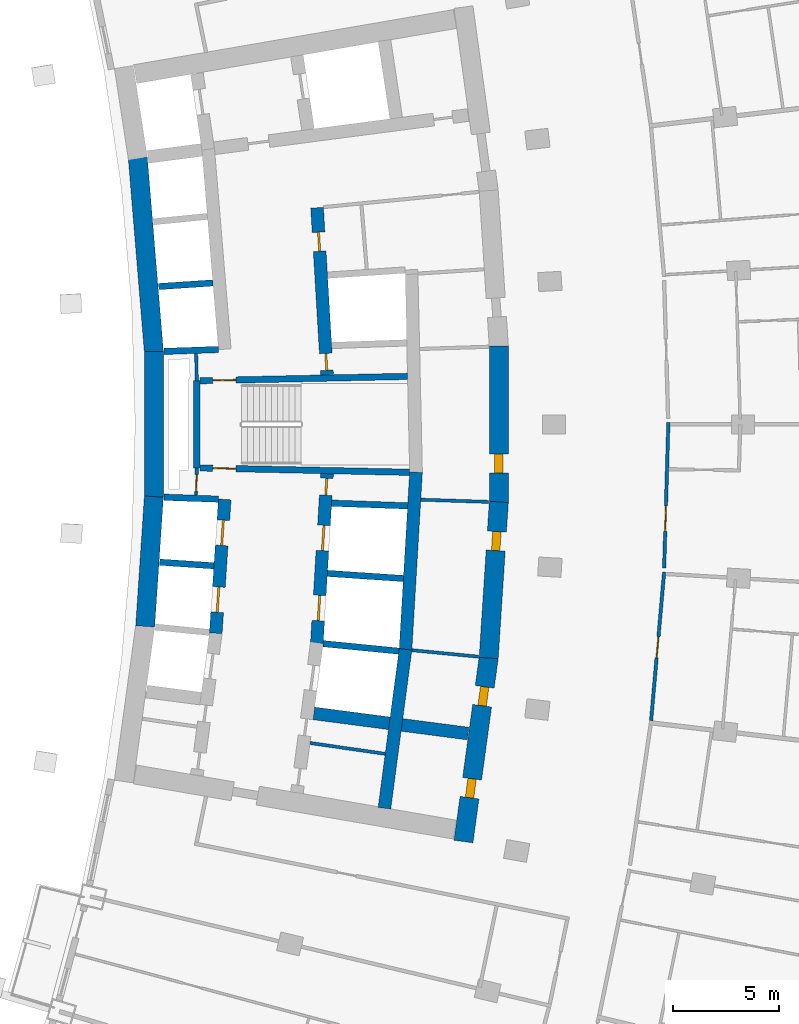
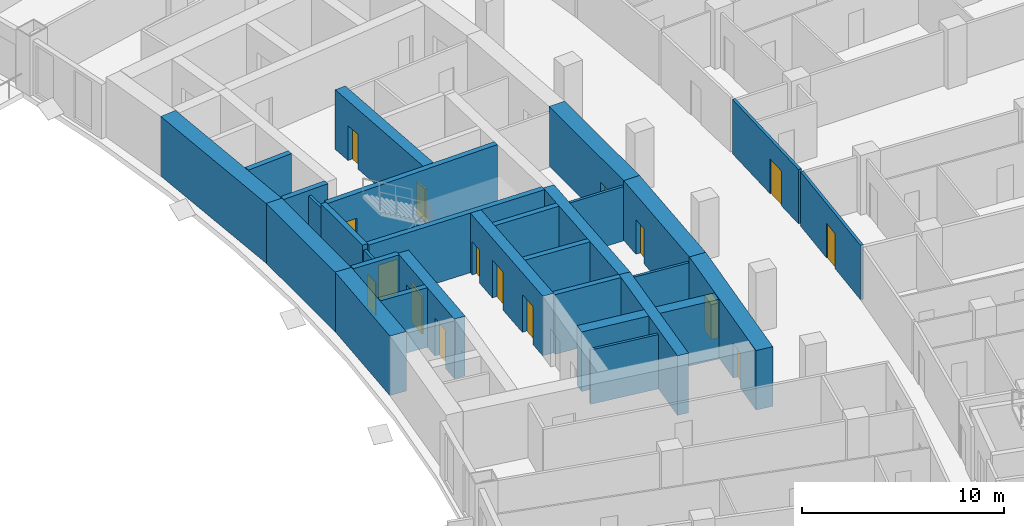
# One storey, part 16 of 25: 30 walls, 16 doors, 16 openings.
"""IFC4 building model written with IfcOpenShell, lengths in metres."""

import ifcopenshell
import ifcopenshell.guid

model = None  # the IFC model being written
_history = None  # IfcOwnerHistory: only IFC2X3 demands one
_inside = {}  # id of a spatial element -> (the spatial element, [elements in it])
_under = {}  # id of a project, library or spatial element -> (it, [spatial elements below it])
_declared = {}  # id of a project -> (the project, [libraries it declares])
_typed = {}  # id of a type object -> (the type object, [elements of that type])
_made_of = {}  # id of a material, layer set ... -> (it, [elements and type objects made of it])


def new_model(schema):
    """Start an empty IFC model of exactly this schema.

    Asked for "IFC4X3", IfcOpenShell would pick the latest addendum, in which some entities
    have other attributes; the version numbers below select the first issue.
    IFC2X3 requires an IfcOwnerHistory on every rooted entity: one is made here for all.
    """
    global model, _history
    if schema == "IFC4X3":
        model = ifcopenshell.file(schema_version=(4, 3, 0, 0))
    else:
        model = ifcopenshell.file(schema=schema)
    _inside.clear()
    _under.clear()
    _declared.clear()
    _typed.clear()
    _made_of.clear()
    _history = None
    if model.schema == "IFC2X3":
        org = make("IfcOrganization", Name="unknown")
        user = make(
            "IfcPersonAndOrganization",
            ThePerson=make("IfcPerson", FamilyName="unknown"),
            TheOrganization=org,
        )
        app = make(
            "IfcApplication",
            ApplicationDeveloper=org,
            Version="unknown",
            ApplicationFullName="unknown",
            ApplicationIdentifier="unknown",
        )
        _history = make(
            "IfcOwnerHistory",
            OwningUser=user,
            OwningApplication=app,
            ChangeAction="ADDED",
            CreationDate=0,
        )
    return model


def make(cls, **values):
    """One entity of the class cls with the attributes given. An attribute that is None is left unset."""
    return model.create_entity(
        cls, **{name: value for name, value in values.items() if value is not None}
    )


def rooted(cls, **values):
    """An entity with a GlobalId (a new one), such as an element, a storey or a relation."""
    return make(cls, GlobalId=ifcopenshell.guid.new(), OwnerHistory=_history, **values)


def si_unit(unit_type, name, prefix=None):
    """IfcSIUnit, for example si_unit("LENGTHUNIT", "METRE", prefix="MILLI")."""
    return make("IfcSIUnit", UnitType=unit_type, Prefix=prefix, Name=name)


def assignment(units):
    """IfcUnitAssignment: the units of a project."""
    return None if units is None else make("IfcUnitAssignment", Units=units)


def point(xyz):
    """IfcCartesianPoint."""
    return None if xyz is None else make("IfcCartesianPoint", Coordinates=xyz)


def direction(xyz):
    """IfcDirection."""
    return None if xyz is None else make("IfcDirection", DirectionRatios=xyz)


def frame(location, z_axis=None, x_axis=None):
    """IfcAxis2Placement3D, a coordinate frame: its origin and axes. An axis left out is left unset."""
    return make(
        "IfcAxis2Placement3D",
        Location=point(location),
        Axis=direction(z_axis),
        RefDirection=direction(x_axis),
    )


def frame_2d(location, x_axis=None):
    """IfcAxis2Placement2D, a coordinate frame in the plane: its origin and x axis."""
    return make(
        "IfcAxis2Placement2D", Location=point(location), RefDirection=direction(x_axis)
    )


def origin():
    """The frame at (0, 0, 0) with its axes left unset."""
    return frame((0.0, 0.0, 0.0))


def place(relative_to, where):
    """IfcLocalPlacement: puts the frame where relative to a parent placement (None: the world)."""
    return make(
        "IfcLocalPlacement", PlacementRelTo=relative_to, RelativePlacement=where
    )


def context(
    kind, dimensions, precision=None, world=None, true_north=None, identifier=None
):
    """IfcGeometricRepresentationContext, for example the 3D "Model" context."""
    return make(
        "IfcGeometricRepresentationContext",
        ContextIdentifier=identifier,
        ContextType=kind,
        CoordinateSpaceDimension=dimensions,
        Precision=precision,
        WorldCoordinateSystem=world,
        TrueNorth=true_north,
    )


def subcontext(parent, identifier, kind, view, scale=None):
    """IfcGeometricRepresentationSubContext, for example "Body" below "Model"."""
    return make(
        "IfcGeometricRepresentationSubContext",
        ContextIdentifier=identifier,
        ContextType=kind,
        ParentContext=parent,
        TargetScale=scale,
        TargetView=view,
    )


def project(units=None, contexts=None):
    """IfcProject with its units and contexts."""
    return rooted(
        "IfcProject",
        Name="project",
        RepresentationContexts=contexts,
        UnitsInContext=assignment(units),
    )


def spatial(cls, under=None, at=None, **own):
    """A site, building, storey or space (cls), placed at a placement, below another one or the project."""
    s = rooted(cls, ObjectPlacement=at, **own)
    if under is not None:
        _under.setdefault(under.id(), (under, []))[1].append(s)
    return s


def profile(cls, at=None, kind="AREA", **sizes):
    """A parametric profile (cls). Its sizes go by their IFC names, for example OverallWidth=200.0."""
    return make(cls, ProfileType=kind, Position=at, **sizes)


def rectangle(**sizes):
    """IfcRectangleProfileDef."""
    return profile("IfcRectangleProfileDef", **sizes)


def extrude(swept, where, along, depth):
    """IfcExtrudedAreaSolid: the profile swept, set in the frame where, extruded along a direction by depth."""
    return make(
        "IfcExtrudedAreaSolid",
        SweptArea=swept,
        Position=where,
        ExtrudedDirection=direction(along),
        Depth=depth,
    )


def shape(context_of_items, identifier, shape_type, items):
    """IfcShapeRepresentation: the items that make up one representation, for example the "Body"."""
    return make(
        "IfcShapeRepresentation",
        ContextOfItems=context_of_items,
        RepresentationIdentifier=identifier,
        RepresentationType=shape_type,
        Items=items,
    )


def material(Name=None, Category=None):
    """IfcMaterial."""
    return make("IfcMaterial", Name=Name, Category=Category)


def layer(
    of_material, thickness, ventilated=None, Name=None, Category=None, Priority=None
):
    """IfcMaterialLayer: one layer of a wall or slab, of a material (None: an air gap)."""
    return make(
        "IfcMaterialLayer",
        Material=of_material,
        LayerThickness=thickness,
        IsVentilated=ventilated,
        Name=Name,
        Category=Category,
        Priority=Priority,
    )


def layer_set(layers, Name=None):
    """IfcMaterialLayerSet."""
    return make("IfcMaterialLayerSet", MaterialLayers=layers, LayerSetName=Name)


def made_of(thing, what):
    """Note that an element or type object is made of a material, layer set ...; save() writes the relation."""
    if what is not None:
        _made_of.setdefault(what.id(), (what, []))[1].append(thing)
    return thing


def type_object(cls, material=None, **own):
    """A type object (cls), such as IfcWallType, which elements share."""
    return made_of(rooted(cls, **own), material)


def element(
    cls,
    number,
    at=None,
    inside=None,
    cuts=None,
    type_object=None,
    material=None,
    context=None,
    identifier="Body",
    shape_type=None,
    held_by="IfcProductDefinitionShape",
    body=None,
    shapes=None,
    **own,
):
    """One element of the class cls, such as IfcWall. Its Tag is "e" and its number.

    at: its placement. inside: the storey or other place that contains it. cuts: it is an
    opening in that element (IfcRelVoidsElement). A single representation is given by context,
    identifier, shape_type and body (its items); several are given by shapes. held_by: the class
    of the entity that holds the representations. save() writes the other relations.
    """
    e = rooted(cls, Tag="e%d" % number, ObjectPlacement=at, **own)
    if body is not None:
        shapes = [shape(context, identifier, shape_type, body)]
    if shapes is not None:
        e.Representation = make(held_by, Representations=shapes)
    if inside is not None:
        _inside.setdefault(inside.id(), (inside, []))[1].append(e)
    if cuts is not None:
        rooted(
            "IfcRelVoidsElement", RelatingBuildingElement=cuts, RelatedOpeningElement=e
        )
    if type_object is not None:
        _typed.setdefault(type_object.id(), (type_object, []))[1].append(e)
    return made_of(e, material)


def fill(opening, filler):
    """IfcRelFillsElement: the door or window that sits in an opening."""
    return rooted(
        "IfcRelFillsElement",
        RelatingOpeningElement=opening,
        RelatedBuildingElement=filler,
    )


def aggregate(whole, parts):
    """IfcRelAggregates: a whole, such as a stair, and the parts it consists of."""
    return rooted("IfcRelAggregates", RelatingObject=whole, RelatedObjects=parts)


def save(model, path):
    """Write the relations noted so far, then the file.

    IfcRelAggregates (storeys below a building ...), IfcRelContainedInSpatialStructure (elements
    in a storey), IfcRelDefinesByType, IfcRelAssociatesMaterial and IfcRelDeclares: one each for
    every whole, place, type object, material and project.
    """
    for whole, parts in _under.values():
        aggregate(whole, parts)
    for where, things in _inside.values():
        rooted(
            "IfcRelContainedInSpatialStructure",
            RelatedElements=things,
            RelatingStructure=where,
        )
    for kind, things in _typed.values():
        rooted("IfcRelDefinesByType", RelatedObjects=things, RelatingType=kind)
    for what, things in _made_of.values():
        rooted("IfcRelAssociatesMaterial", RelatedObjects=things, RelatingMaterial=what)
    for by, libraries in _declared.values():
        rooted("IfcRelDeclares", RelatingContext=by, RelatedDefinitions=libraries)
    model.write(path)


model = new_model("IFC4")

# Units and contexts
model_context = context("Model", 3, precision=1e-05, world=origin(), true_north=direction((0.0, 1.0)))
body_context = subcontext(model_context, "Body", "Model", "MODEL_VIEW")
ifc_project = project(units=[si_unit("LENGTHUNIT", "METRE"), si_unit("AREAUNIT", "SQUARE_METRE"), si_unit("VOLUMEUNIT", "CUBIC_METRE"), si_unit("PLANEANGLEUNIT", "RADIAN"), si_unit("MASSUNIT", "GRAM", prefix="KILO")], contexts=[model_context])

# Site, building, storey
site_placement = place(None, origin())
site = spatial("IfcSite", under=ifc_project, at=site_placement, CompositionType="ELEMENT")
building_placement = place(site_placement, origin())
building = spatial("IfcBuilding", under=site, at=building_placement, Name="Alderwake Tower", CompositionType="ELEMENT")
storey_placement = place(building_placement, frame((0.0, 0.0, 60.800048828125)))
storey = spatial("IfcBuildingStorey", under=building, at=storey_placement, Name="L14", CompositionType="ELEMENT", Elevation=60.800048828125)

# Wall, opening, door
ifc_material_1 = material(Name="Gypsum shaft wall system, rated")
ifc_layer_1 = layer(ifc_material_1, 0.14990234375)
ifc_layer_set_1 = layer_set([ifc_layer_1], Name="Core room partition 150")
wall_type_1 = type_object("IfcWallType", Name="Core room partition 150", PredefinedType="PARTITIONING", material=ifc_layer_set_1)
wall_1_placement = place(storey_placement, frame((18.918701171875, 58.94384765625, 0.0), z_axis=(0.0, 0.0, 1.0), x_axis=(-0.027348257573, -0.999625966453, 0.0)))
wall_1 = element("IfcWall", 1, at=wall_1_placement, inside=storey, type_object=wall_type_1, Name="CW/L14/PA+24_-37", PredefinedType="PARTITIONING", context=body_context, shape_type="SweptSolid", body=[
    extrude(rectangle(XDim=1.29443359375, YDim=0.14990234375, at=frame_2d((0.647216796875, 0.0))), origin(), (0.0, 0.0, 1.0), 3.280029296875),
])
opening_1_placement = place(wall_1_placement, frame((0.322998046875, 0.0, 0.0)))
opening_1 = element("IfcOpeningElement", 2, at=opening_1_placement, cuts=wall_1, Name="Opening C004", PredefinedType="OPENING", context=body_context, shape_type="SweptSolid", body=[
    extrude(rectangle(XDim=0.800048828125, YDim=2.0, at=frame_2d((0.39990234375, 1.0))), frame((0.0, 0.0849609375, 0.0), z_axis=(0.0, -1.0, 0.0), x_axis=(1.0, 0.0, 0.0)), (0.0, 0.0, 1.0), 0.169921875),
])
ifc_material_2 = material(Name="Painted steel leaf, rated", Category="steel")
door_type_1 = type_object("IfcDoorType", Name="Riser access door 800", OperationType="SINGLE_SWING_LEFT", PredefinedType="DOOR", material=ifc_material_2)
door_1_placement = place(opening_1_placement, origin())
door_1 = element("IfcDoor", 3, at=door_1_placement, inside=storey, type_object=door_type_1, Name="Riser access door", OperationType="SINGLE_SWING_RIGHT", OverallHeight=2.0, OverallWidth=0.800048828125, PredefinedType="DOOR", context=body_context, shape_type="SweptSolid", body=[
    extrude(rectangle(XDim=0.800048828125, YDim=2.0, at=frame_2d((0.39990234375, 1.0))), frame((0.0, 0.02490234375, 0.0), z_axis=(0.0, -1.0, 0.0), x_axis=(1.0, 0.0, 0.0)), (0.0, 0.0, 1.0), 0.050048828125),
])
fill(opening_1, door_1)

# Walls
wall_2_placement = place(storey_placement, frame((18.918701171875, 63.05517578125, 0.0), z_axis=(0.0, 0.0, 1.0), x_axis=(-0.027327648352, 0.999626530078, 0.0)))
element("IfcWall", 4, at=wall_2_placement, inside=storey, type_object=wall_type_1, Name="CW/L14/PA+24_+22", PredefinedType="PARTITIONING", context=body_context, shape_type="SweptSolid", body=[
    extrude(rectangle(XDim=1.29541015625, YDim=0.14990234375, at=frame_2d((0.647705078125, 0.0))), origin(), (0.0, 0.0, 1.0), 3.280029296875),
])
wall_3_placement = place(storey_placement, frame((24.263916015625, 45.940673828125, 0.0), z_axis=(0.0, 0.0, 1.0), x_axis=(0.989732412963, -0.142932679013, 0.0)))
element("IfcWall", 5, at=wall_3_placement, inside=storey, type_object=wall_type_1, Name="CW/L14/PR-150_+86", PredefinedType="PARTITIONING", context=body_context, shape_type="SweptSolid", body=[
    extrude(rectangle(XDim=3.595458984375, YDim=0.14990234375, at=frame_2d((1.7978515625, 0.0))), origin(), (0.0, 0.0, 1.0), 3.280029296875),
])
wall_4_placement = place(storey_placement, frame((29.0791015625, 50.326416015625, 0.0), z_axis=(0.0, 0.0, 1.0), x_axis=(0.995249181795, -0.097360495766, 0.0)))
element("IfcWall", 6, at=wall_4_placement, inside=storey, type_object=wall_type_1, Name="CW/L14/PR-102_+128", PredefinedType="PARTITIONING", context=body_context, shape_type="SweptSolid", body=[
    extrude(rectangle(XDim=3.169677734375, YDim=0.14990234375, at=frame_2d((1.5849609375, 0.0))), origin(), (0.0, 0.0, 1.0), 3.280029296875),
])
wall_5_placement = place(storey_placement, frame((29.50048828125, 57.4384765625, 0.0), z_axis=(0.0, 0.0, 1.0), x_axis=(0.999470508275, -0.032537717924, 0.0)))
element("IfcWall", 7, at=wall_5_placement, inside=storey, type_object=wall_type_1, Name="CW/L14/PR-34_+128", PredefinedType="PARTITIONING", context=body_context, shape_type="SweptSolid", body=[
    extrude(rectangle(XDim=3.21142578125, YDim=0.14990234375, at=frame_2d((1.605712890625, 0.0))), origin(), (0.0, 0.0, 1.0), 3.280029296875),
])
ifc_material_3 = material(Name="Concrete C70/85", Category="concrete")
ifc_layer_2 = layer(ifc_material_3, 0.89990234375)
ifc_layer_set_2 = layer_set([ifc_layer_2], Name="Core wall outer 900 C70-85")
wall_type_2 = type_object("IfcWallType", Name="Core wall outer 900 C70-85", PredefinedType="SHEAR", material=ifc_layer_set_2)
wall_6_placement = place(storey_placement, frame((16.47900390625, 51.449951171875, 0.0), z_axis=(0.0, 0.0, 1.0), x_axis=(0.06689316208, 0.997760143956, 0.0)))
element("IfcWall", 8, at=wall_6_placement, inside=storey, type_object=wall_type_2, Name="Core wall CW.041", PredefinedType="SHEAR", context=body_context, shape_type="SweptSolid", body=[
    extrude(rectangle(XDim=6.149658203125, YDim=0.89990234375, at=frame_2d((3.07470703125, 0.0))), origin(), (0.0, 0.0, 1.0), 3.599853515625),
])
wall_7_placement = place(storey_placement, frame((16.889404296875, 57.5546875, 0.0), z_axis=(0.0, 0.0, 1.0), x_axis=(0.0, 1.0, 0.0)))
element("IfcWall", 9, at=wall_7_placement, inside=storey, type_object=wall_type_2, Name="Core wall CW.043", PredefinedType="SHEAR", context=body_context, shape_type="SweptSolid", body=[
    extrude(rectangle(XDim=6.89404296875, YDim=0.89990234375, at=frame_2d((3.447021484375, 0.0))), origin(), (0.0, 0.0, 1.0), 3.599853515625),
])
wall_8_placement = place(storey_placement, frame((16.890869140625, 64.41064453125, 0.0), z_axis=(0.0, 0.0, 1.0), x_axis=(-0.082624275373, 0.996580768989, 0.0)))
element("IfcWall", 10, at=wall_8_placement, inside=storey, type_object=wall_type_2, Name="Core wall CW.040", PredefinedType="SHEAR", context=body_context, shape_type="SweptSolid", body=[
    extrude(rectangle(XDim=9.210205078125, YDim=0.89990234375, at=frame_2d((4.60498046875, 0.0))), origin(), (0.0, 0.0, 1.0), 3.599853515625),
])

# Wall, openings, doors
wall_9_placement = place(storey_placement, frame((32.7138671875, 49.9873046875, 0.0), z_axis=(0.0, 0.0, 1.0), x_axis=(-0.135844728876, -0.990730139663, 0.0)))
wall_9 = element("IfcWall", 11, at=wall_9_placement, inside=storey, type_object=wall_type_2, Name="Core wall CW.012", PredefinedType="SHEAR", context=body_context, shape_type="SweptSolid", body=[
    extrude(rectangle(XDim=8.78662109375, YDim=0.89990234375, at=frame_2d((4.393310546875, 0.0))), origin(), (0.0, 0.0, 1.0), 3.599853515625),
])
opening_2_placement = place(wall_9_placement, frame((1.40673828125, 0.0, 0.0)))
opening_2 = element("IfcOpeningElement", 12, at=opening_2_placement, cuts=wall_9, Name="Opening C050", PredefinedType="OPENING", context=body_context, shape_type="SweptSolid", body=[
    extrude(rectangle(XDim=0.89990234375, YDim=2.10009765625, at=frame_2d((0.449951171875, 1.050048828125))), frame((0.0, 0.4599609375, 0.0), z_axis=(0.0, -1.0, 0.0), x_axis=(1.0, 0.0, 0.0)), (0.0, 0.0, 1.0), 0.919921875),
])
opening_3_placement = place(wall_9_placement, frame((5.79248046875, 0.0, 0.0)))
opening_3 = element("IfcOpeningElement", 13, at=opening_3_placement, cuts=wall_9, Name="Opening C061", PredefinedType="OPENING", context=body_context, shape_type="SweptSolid", body=[
    extrude(rectangle(XDim=0.89990234375, YDim=2.10009765625, at=frame_2d((0.449951171875, 1.050048828125))), frame((0.0, 0.4599609375, 0.0), z_axis=(0.0, -1.0, 0.0), x_axis=(1.0, 0.0, 0.0)), (0.0, 0.0, 1.0), 0.919921875),
])
ifc_material_4 = material(Name="Painted steel leaf", Category="steel")
door_type_2 = type_object("IfcDoorType", Name="Core room door 900", OperationType="SINGLE_SWING_LEFT", PredefinedType="DOOR", material=ifc_material_4)
door_2_placement = place(opening_2_placement, origin())
door_2 = element("IfcDoor", 14, at=door_2_placement, inside=storey, type_object=door_type_2, Name="Room door", OperationType="SINGLE_SWING_LEFT", OverallHeight=2.10009765625, OverallWidth=0.89990234375, PredefinedType="DOOR", context=body_context, shape_type="SweptSolid", body=[
    extrude(rectangle(XDim=0.89990234375, YDim=2.10009765625, at=frame_2d((0.449951171875, 1.050048828125))), frame((0.0, 0.199951171875, 0.0), z_axis=(0.0, -1.0, 0.0), x_axis=(1.0, 0.0, 0.0)), (0.0, 0.0, 1.0), 0.39990234375),
])
fill(opening_2, door_2)
door_3_placement = place(opening_3_placement, origin())
door_3 = element("IfcDoor", 15, at=door_3_placement, inside=storey, type_object=door_type_2, Name="Room door", OperationType="SINGLE_SWING_RIGHT", OverallHeight=2.10009765625, OverallWidth=0.89990234375, PredefinedType="DOOR", context=body_context, shape_type="SweptSolid", body=[
    extrude(rectangle(XDim=0.89990234375, YDim=2.10009765625, at=frame_2d((0.449951171875, 1.050048828125))), frame((0.0, 0.199951171875, 0.0), z_axis=(0.0, -1.0, 0.0), x_axis=(1.0, 0.0, 0.0)), (0.0, 0.0, 1.0), 0.39990234375),
])
fill(opening_3, door_3)

# Wall, opening, door
wall_10_placement = place(storey_placement, frame((33.191162109375, 57.33349609375, 0.0), z_axis=(0.0, 0.0, 1.0), x_axis=(-0.064976219143, -0.997886812693, 0.0)))
wall_10 = element("IfcWall", 16, at=wall_10_placement, inside=storey, type_object=wall_type_2, Name="Core wall CW.011", PredefinedType="SHEAR", context=body_context, shape_type="SweptSolid", body=[
    extrude(rectangle(XDim=7.39453125, YDim=0.89990234375, at=frame_2d((3.697265625, 0.0))), origin(), (0.0, 0.0, 1.0), 3.599853515625),
])
opening_4_placement = place(wall_10_placement, frame((1.405517578125, 0.0, 0.0)))
opening_4 = element("IfcOpeningElement", 17, at=opening_4_placement, cuts=wall_10, Name="Opening C026", PredefinedType="OPENING", context=body_context, shape_type="SweptSolid", body=[
    extrude(rectangle(XDim=0.89990234375, YDim=2.10009765625, at=frame_2d((0.449951171875, 1.050048828125))), frame((0.0, 0.4599609375, 0.0), z_axis=(0.0, -1.0, 0.0), x_axis=(1.0, 0.0, 0.0)), (0.0, 0.0, 1.0), 0.919921875),
])
door_4_placement = place(opening_4_placement, origin())
door_4 = element("IfcDoor", 18, at=door_4_placement, inside=storey, type_object=door_type_2, Name="Room door", OperationType="SINGLE_SWING_RIGHT", OverallHeight=2.10009765625, OverallWidth=0.89990234375, PredefinedType="DOOR", context=body_context, shape_type="SweptSolid", body=[
    extrude(rectangle(XDim=0.89990234375, YDim=2.10009765625, at=frame_2d((0.449951171875, 1.050048828125))), frame((0.0, 0.199951171875, 0.0), z_axis=(0.0, -1.0, 0.0), x_axis=(1.0, 0.0, 0.0)), (0.0, 0.0, 1.0), 0.39990234375),
])
fill(opening_4, door_4)

wall_11_placement = place(storey_placement, frame((33.190185546875, 64.69677734375, 0.0), z_axis=(0.0, 0.0, 1.0), x_axis=(0.0, -1.0, 0.0)))
wall_11 = element("IfcWall", 19, at=wall_11_placement, inside=storey, type_object=wall_type_2, Name="Core wall CW.013", PredefinedType="SHEAR", context=body_context, shape_type="SweptSolid", body=[
    extrude(rectangle(XDim=7.3935546875, YDim=0.89990234375, at=frame_2d((3.69677734375, 0.0))), origin(), (0.0, 0.0, 1.0), 3.599853515625),
])
opening_5_placement = place(wall_11_placement, frame((5.087646484375, 0.0, 0.0)))
opening_5 = element("IfcOpeningElement", 20, at=opening_5_placement, cuts=wall_11, Name="Opening C030", PredefinedType="OPENING", context=body_context, shape_type="SweptSolid", body=[
    extrude(rectangle(XDim=0.89990234375, YDim=2.10009765625, at=frame_2d((0.449951171875, 1.050048828125))), frame((0.0, 0.4599609375, 0.0), z_axis=(0.0, -1.0, 0.0), x_axis=(1.0, 0.0, 0.0)), (0.0, 0.0, 1.0), 0.919921875),
])
door_5_placement = place(opening_5_placement, origin())
door_5 = element("IfcDoor", 21, at=door_5_placement, inside=storey, type_object=door_type_2, Name="Room door", OperationType="SINGLE_SWING_LEFT", OverallHeight=2.10009765625, OverallWidth=0.89990234375, PredefinedType="DOOR", context=body_context, shape_type="SweptSolid", body=[
    extrude(rectangle(XDim=0.89990234375, YDim=2.10009765625, at=frame_2d((0.449951171875, 1.050048828125))), frame((0.0, 0.199951171875, 0.0), z_axis=(0.0, -1.0, 0.0), x_axis=(1.0, 0.0, 0.0)), (0.0, 0.0, 1.0), 0.39990234375),
])
fill(opening_5, door_5)

# Walls
ifc_material_5 = material(Name="Concrete C70/85", Category="concrete")
ifc_layer_3 = layer(ifc_material_5, 0.300048828125)
ifc_layer_set_3 = layer_set([ifc_layer_3], Name="Core wall shaft 300 C70-85")
wall_type_3 = type_object("IfcWallType", Name="Core wall shaft 300 C70-85", PredefinedType="SHEAR", material=ifc_layer_set_3)
wall_12_placement = place(storey_placement, frame((24.889404296875, 50.635009765625, 0.0), z_axis=(0.0, 0.0, 1.0), x_axis=(0.995156121494, -0.098307140396, 0.0)))
element("IfcWall", 22, at=wall_12_placement, inside=storey, type_object=wall_type_3, Name="Core wall CW.066", PredefinedType="SHEAR", context=body_context, shape_type="SweptSolid", body=[
    extrude(rectangle(XDim=3.595947265625, YDim=0.300048828125, at=frame_2d((1.7978515625, 0.0))), origin(), (0.0, 0.0, 1.0), 3.599853515625),
])
wall_13_placement = place(storey_placement, frame((17.16357421875, 54.486083984375, 0.0), z_axis=(0.0, 0.0, 1.0), x_axis=(0.997758581961, -0.066916456292, 0.0)))
element("IfcWall", 23, at=wall_13_placement, inside=storey, type_object=wall_type_3, Name="Core wall CW.079", PredefinedType="SHEAR", context=body_context, shape_type="SweptSolid", body=[
    extrude(rectangle(XDim=2.568603515625, YDim=0.300048828125, at=frame_2d((1.2841796875, 0.0))), origin(), (0.0, 0.0, 1.0), 3.599853515625),
])
wall_14_placement = place(storey_placement, frame((25.090087890625, 53.954833984375, 0.0), z_axis=(0.0, 0.0, 1.0), x_axis=(0.997758045734, -0.066924451231, 0.0)))
element("IfcWall", 24, at=wall_14_placement, inside=storey, type_object=wall_type_3, Name="Core wall CW.080", PredefinedType="SHEAR", context=body_context, shape_type="SweptSolid", body=[
    extrude(rectangle(XDim=3.596923828125, YDim=0.300048828125, at=frame_2d((1.79833984375, 0.0))), origin(), (0.0, 0.0, 1.0), 3.599853515625),
])
wall_15_placement = place(storey_placement, frame((17.369140625, 57.553466796875, 0.0), z_axis=(0.0, 0.0, 1.0), x_axis=(0.99937189907, -0.035437372217, 0.0)))
element("IfcWall", 25, at=wall_15_placement, inside=storey, type_object=wall_type_3, Name="Core wall CW.076", PredefinedType="SHEAR", context=body_context, shape_type="SweptSolid", body=[
    extrude(rectangle(XDim=2.56982421875, YDim=0.300048828125, at=frame_2d((1.284912109375, 0.0))), origin(), (0.0, 0.0, 1.0), 3.599853515625),
])
wall_16_placement = place(storey_placement, frame((25.29052734375, 57.27294921875, 0.0), z_axis=(0.0, 0.0, 1.0), x_axis=(0.99937585491, -0.035325636908, 0.0)))
element("IfcWall", 26, at=wall_16_placement, inside=storey, type_object=wall_type_3, Name="Core wall CW.077", PredefinedType="SHEAR", context=body_context, shape_type="SweptSolid", body=[
    extrude(rectangle(XDim=3.59375, YDim=0.300048828125, at=frame_2d((1.796875, 0.0))), origin(), (0.0, 0.0, 1.0), 3.599853515625),
])
wall_17_placement = place(storey_placement, frame((17.369384765625, 64.446533203125, 0.0), z_axis=(0.0, 0.0, 1.0), x_axis=(0.999371660382, 0.035444102817, 0.0)))
element("IfcWall", 27, at=wall_17_placement, inside=storey, type_object=wall_type_3, Name="Core wall CW.059", PredefinedType="SHEAR", context=body_context, shape_type="SweptSolid", body=[
    extrude(rectangle(XDim=2.5693359375, YDim=0.300048828125, at=frame_2d((1.28466796875, 0.0))), origin(), (0.0, 0.0, 1.0), 3.599853515625),
])
wall_18_placement = place(storey_placement, frame((17.115478515625, 67.510498046875, 0.0), z_axis=(0.0, 0.0, 1.0), x_axis=(0.99775517309, 0.06696726493, 0.0)))
element("IfcWall", 28, at=wall_18_placement, inside=storey, type_object=wall_type_3, Name="Core wall CW.062", PredefinedType="SHEAR", context=body_context, shape_type="SweptSolid", body=[
    extrude(rectangle(XDim=2.566650390625, YDim=0.300048828125, at=frame_2d((1.283203125, 0.0))), origin(), (0.0, 0.0, 1.0), 3.599853515625),
])

# Wall, openings, doors
ifc_material_6 = material(Name="Concrete C70/85", Category="concrete")
ifc_layer_4 = layer(ifc_material_6, 0.60009765625)
ifc_layer_set_4 = layer_set([ifc_layer_4], Name="Core wall spine 600 C70-85")
wall_type_4 = type_object("IfcWallType", Name="Core wall spine 600 C70-85", PredefinedType="SHEAR", material=ifc_layer_set_4)
wall_19_placement = place(storey_placement, frame((19.813232421875, 51.12646484375, 0.0), z_axis=(0.0, 0.0, 1.0), x_axis=(0.066892179723, 0.997760209816, 0.0)))
wall_19 = element("IfcWall", 29, at=wall_19_placement, inside=storey, type_object=wall_type_4, Name="Core wall CW.032", PredefinedType="SHEAR", context=body_context, shape_type="SweptSolid", body=[
    extrude(rectangle(XDim=6.339599609375, YDim=0.60009765625, at=frame_2d((3.169921875, 0.0))), origin(), (0.0, 0.0, 1.0), 3.599853515625),
])
opening_6_placement = place(wall_19_placement, frame((0.992431640625, 0.0, 0.0)))
opening_6 = element("IfcOpeningElement", 30, at=opening_6_placement, cuts=wall_19, Name="Opening LD-LP2", PredefinedType="OPENING", context=body_context, shape_type="SweptSolid", body=[
    extrude(rectangle(XDim=1.199951171875, YDim=2.300048828125, at=frame_2d((0.60009765625, 1.14990234375))), frame((0.0, 0.31005859375, 0.0), z_axis=(0.0, -1.0, 0.0), x_axis=(1.0, 0.0, 0.0)), (0.0, 0.0, 1.0), 0.6201171875),
])
opening_7_placement = place(wall_19_placement, frame((4.157470703125, 0.0, 0.0)))
opening_7 = element("IfcOpeningElement", 31, at=opening_7_placement, cuts=wall_19, Name="Opening LD-LP3", PredefinedType="OPENING", context=body_context, shape_type="SweptSolid", body=[
    extrude(rectangle(XDim=1.199951171875, YDim=2.300048828125, at=frame_2d((0.60009765625, 1.14990234375))), frame((0.0, 0.31005859375, 0.0), z_axis=(0.0, -1.0, 0.0), x_axis=(1.0, 0.0, 0.0)), (0.0, 0.0, 1.0), 0.6201171875),
])
ifc_material_7 = material(Name="Stainless steel sliding leaf", Category="steel")
door_type_3 = type_object("IfcDoorType", Name="Lift landing door 1200", OperationType="SLIDING_TO_LEFT", PredefinedType="DOOR", material=ifc_material_7)
door_6_placement = place(opening_6_placement, origin())
door_6 = element("IfcDoor", 32, at=door_6_placement, inside=storey, type_object=door_type_3, Name="Lift landing door LP2", OperationType="SLIDING_TO_LEFT", OverallHeight=2.300048828125, OverallWidth=1.199951171875, PredefinedType="DOOR", context=body_context, shape_type="SweptSolid", body=[
    extrude(rectangle(XDim=1.199951171875, YDim=2.300048828125, at=frame_2d((0.60009765625, 1.14990234375))), frame((0.0, 0.050048828125, 0.0), z_axis=(0.0, -1.0, 0.0), x_axis=(1.0, 0.0, 0.0)), (0.0, 0.0, 1.0), 0.10009765625),
])
fill(opening_6, door_6)
door_7_placement = place(opening_7_placement, origin())
door_7 = element("IfcDoor", 33, at=door_7_placement, inside=storey, type_object=door_type_3, Name="Lift landing door LP3", OperationType="SLIDING_TO_LEFT", OverallHeight=2.300048828125, OverallWidth=1.199951171875, PredefinedType="DOOR", context=body_context, shape_type="SweptSolid", body=[
    extrude(rectangle(XDim=1.199951171875, YDim=2.300048828125, at=frame_2d((0.60009765625, 1.14990234375))), frame((0.0, 0.050048828125, 0.0), z_axis=(0.0, -1.0, 0.0), x_axis=(1.0, 0.0, 0.0)), (0.0, 0.0, 1.0), 0.10009765625),
])
fill(opening_7, door_7)

wall_20_placement = place(storey_placement, frame((24.58984375, 50.6533203125, 0.0), z_axis=(0.0, 0.0, 1.0), x_axis=(0.060323309079, 0.998178890972, 0.0)))
wall_20 = element("IfcWall", 34, at=wall_20_placement, inside=storey, type_object=wall_type_4, Name="Core wall CW.046", PredefinedType="SHEAR", context=body_context, shape_type="SweptSolid", body=[
    extrude(rectangle(XDim=8.025634765625, YDim=0.60009765625, at=frame_2d((4.0126953125, 0.0))), origin(), (0.0, 0.0, 1.0), 3.599853515625),
])
opening_8_placement = place(wall_20_placement, frame((1.06884765625, 0.0, 0.0)))
opening_8 = element("IfcOpeningElement", 35, at=opening_8_placement, cuts=wall_20, Name="Opening LD-LP5", PredefinedType="OPENING", context=body_context, shape_type="SweptSolid", body=[
    extrude(rectangle(XDim=1.199951171875, YDim=2.300048828125, at=frame_2d((0.60009765625, 1.14990234375))), frame((0.0, 0.31005859375, 0.0), z_axis=(0.0, -1.0, 0.0), x_axis=(1.0, 0.0, 0.0)), (0.0, 0.0, 1.0), 0.6201171875),
])
opening_9_placement = place(wall_20_placement, frame((4.38525390625, 0.0, 0.0)))
opening_9 = element("IfcOpeningElement", 36, at=opening_9_placement, cuts=wall_20, Name="Opening LD-LP6", PredefinedType="OPENING", context=body_context, shape_type="SweptSolid", body=[
    extrude(rectangle(XDim=1.199951171875, YDim=2.300048828125, at=frame_2d((0.60009765625, 1.14990234375))), frame((0.0, 0.31005859375, 0.0), z_axis=(0.0, -1.0, 0.0), x_axis=(1.0, 0.0, 0.0)), (0.0, 0.0, 1.0), 0.6201171875),
])
opening_10_placement = place(wall_20_placement, frame((7.009521484375, 0.0, 0.0)))
opening_10 = element("IfcOpeningElement", 37, at=opening_10_placement, cuts=wall_20, Name="Opening C006", PredefinedType="OPENING", context=body_context, shape_type="SweptSolid", body=[
    extrude(rectangle(XDim=0.800048828125, YDim=2.0, at=frame_2d((0.39990234375, 1.0))), frame((0.0, 0.31005859375, 0.0), z_axis=(0.0, -1.0, 0.0), x_axis=(1.0, 0.0, 0.0)), (0.0, 0.0, 1.0), 0.6201171875),
])
door_8_placement = place(opening_8_placement, origin())
door_8 = element("IfcDoor", 38, at=door_8_placement, inside=storey, type_object=door_type_3, Name="Lift landing door LP5", OperationType="SLIDING_TO_LEFT", OverallHeight=2.300048828125, OverallWidth=1.199951171875, PredefinedType="DOOR", context=body_context, shape_type="SweptSolid", body=[
    extrude(rectangle(XDim=1.199951171875, YDim=2.300048828125, at=frame_2d((0.60009765625, 1.14990234375))), frame((0.0, 0.050048828125, 0.0), z_axis=(0.0, -1.0, 0.0), x_axis=(1.0, 0.0, 0.0)), (0.0, 0.0, 1.0), 0.10009765625),
])
fill(opening_8, door_8)
door_9_placement = place(opening_9_placement, origin())
door_9 = element("IfcDoor", 39, at=door_9_placement, inside=storey, type_object=door_type_3, Name="Lift landing door LP6", OperationType="SLIDING_TO_LEFT", OverallHeight=2.300048828125, OverallWidth=1.199951171875, PredefinedType="DOOR", context=body_context, shape_type="SweptSolid", body=[
    extrude(rectangle(XDim=1.199951171875, YDim=2.300048828125, at=frame_2d((0.60009765625, 1.14990234375))), frame((0.0, 0.050048828125, 0.0), z_axis=(0.0, -1.0, 0.0), x_axis=(1.0, 0.0, 0.0)), (0.0, 0.0, 1.0), 0.10009765625),
])
fill(opening_9, door_9)
door_10_placement = place(opening_10_placement, origin())
door_10 = element("IfcDoor", 40, at=door_10_placement, inside=storey, type_object=door_type_1, Name="Riser access door", OperationType="SINGLE_SWING_RIGHT", OverallHeight=2.0, OverallWidth=0.800048828125, PredefinedType="DOOR", context=body_context, shape_type="SweptSolid", body=[
    extrude(rectangle(XDim=0.800048828125, YDim=2.0, at=frame_2d((0.39990234375, 1.0))), frame((0.0, 0.050048828125, 0.0), z_axis=(0.0, -1.0, 0.0), x_axis=(1.0, 0.0, 0.0)), (0.0, 0.0, 1.0), 0.10009765625),
])
fill(opening_10, door_10)

wall_21_placement = place(storey_placement, frame((25.073974609375, 63.335693359375, 0.0), z_axis=(0.0, 0.0, 1.0), x_axis=(-0.059848641072, 0.998207463487, 0.0)))
wall_21 = element("IfcWall", 41, at=wall_21_placement, inside=storey, type_object=wall_type_4, Name="Core wall CW.045", PredefinedType="SHEAR", context=body_context, shape_type="SweptSolid", body=[
    extrude(rectangle(XDim=7.913818359375, YDim=0.60009765625, at=frame_2d((3.95703125, 0.0))), origin(), (0.0, 0.0, 1.0), 3.599853515625),
])
opening_11_placement = place(wall_21_placement, frame((0.216064453125, 0.0, 0.0)))
opening_11 = element("IfcOpeningElement", 42, at=opening_11_placement, cuts=wall_21, Name="Opening C005", PredefinedType="OPENING", context=body_context, shape_type="SweptSolid", body=[
    extrude(rectangle(XDim=0.800048828125, YDim=2.0, at=frame_2d((0.39990234375, 1.0))), frame((0.0, 0.31005859375, 0.0), z_axis=(0.0, -1.0, 0.0), x_axis=(1.0, 0.0, 0.0)), (0.0, 0.0, 1.0), 0.6201171875),
])
opening_12_placement = place(wall_21_placement, frame((5.856201171875, 0.0, 0.0)))
opening_12 = element("IfcOpeningElement", 43, at=opening_12_placement, cuts=wall_21, Name="Opening C024", PredefinedType="OPENING", context=body_context, shape_type="SweptSolid", body=[
    extrude(rectangle(XDim=0.89990234375, YDim=2.10009765625, at=frame_2d((0.449951171875, 1.050048828125))), frame((0.0, 0.31005859375, 0.0), z_axis=(0.0, -1.0, 0.0), x_axis=(1.0, 0.0, 0.0)), (0.0, 0.0, 1.0), 0.6201171875),
])
door_11_placement = place(opening_12_placement, origin())
door_11 = element("IfcDoor", 44, at=door_11_placement, inside=storey, type_object=door_type_2, Name="Room door", OperationType="SINGLE_SWING_LEFT", OverallHeight=2.10009765625, OverallWidth=0.89990234375, PredefinedType="DOOR", context=body_context, shape_type="SweptSolid", body=[
    extrude(rectangle(XDim=0.89990234375, YDim=2.10009765625, at=frame_2d((0.449951171875, 1.050048828125))), frame((0.0, 0.050048828125, 0.0), z_axis=(0.0, -1.0, 0.0), x_axis=(1.0, 0.0, 0.0)), (0.0, 0.0, 1.0), 0.10009765625),
])
fill(opening_12, door_11)
door_12_placement = place(opening_11_placement, origin())
door_12 = element("IfcDoor", 45, at=door_12_placement, inside=storey, type_object=door_type_1, Name="Riser access door", OperationType="SINGLE_SWING_LEFT", OverallHeight=2.0, OverallWidth=0.800048828125, PredefinedType="DOOR", context=body_context, shape_type="SweptSolid", body=[
    extrude(rectangle(XDim=0.800048828125, YDim=2.0, at=frame_2d((0.39990234375, 1.0))), frame((0.0, 0.050048828125, 0.0), z_axis=(0.0, -1.0, 0.0), x_axis=(1.0, 0.0, 0.0)), (0.0, 0.0, 1.0), 0.10009765625),
])
fill(opening_11, door_12)

# Walls
wall_22_placement = place(storey_placement, frame((27.78369140625, 42.85693359375, 0.0), z_axis=(0.0, 0.0, 1.0), x_axis=(0.131768985664, 0.991280451949, 0.0)))
element("IfcWall", 46, at=wall_22_placement, inside=storey, type_object=wall_type_4, Name="Core wall CW.006", PredefinedType="SHEAR", context=body_context, shape_type="SweptSolid", body=[
    extrude(rectangle(XDim=7.576171875, YDim=0.60009765625, at=frame_2d((3.7880859375, 0.0))), origin(), (0.0, 0.0, 1.0), 3.599853515625),
])
wall_23_placement = place(storey_placement, frame((28.77978515625, 50.34423828125, 0.0), z_axis=(0.0, 0.0, 1.0), x_axis=(0.059133840665, 0.998250063305, 0.0)))
element("IfcWall", 47, at=wall_23_placement, inside=storey, type_object=wall_type_4, Name="Core wall CW.004", PredefinedType="SHEAR", context=body_context, shape_type="SweptSolid", body=[
    extrude(rectangle(XDim=8.409912109375, YDim=0.60009765625, at=frame_2d((4.205078125, 0.0))), origin(), (0.0, 0.0, 1.0), 3.599853515625),
])
wall_24_placement = place(storey_placement, frame((24.4501953125, 47.338623046875, 0.0), z_axis=(0.0, 0.0, 1.0), x_axis=(0.99155225032, -0.129707882892, 0.0)))
element("IfcWall", 48, at=wall_24_placement, inside=storey, type_object=wall_type_4, Name="Core wall CW.069", PredefinedType="SHEAR", context=body_context, shape_type="SweptSolid", body=[
    extrude(rectangle(XDim=3.594970703125, YDim=0.60009765625, at=frame_2d((1.79736328125, 0.0))), origin(), (0.0, 0.0, 1.0), 3.599853515625),
])
wall_25_placement = place(storey_placement, frame((28.609619140625, 46.794677734375, 0.0), z_axis=(0.0, 0.0, 1.0), x_axis=(0.991551544298, -0.129713279967, 0.0)))
element("IfcWall", 49, at=wall_25_placement, inside=storey, type_object=wall_type_4, Name="Core wall CW.068", PredefinedType="SHEAR", context=body_context, shape_type="SweptSolid", body=[
    extrude(rectangle(XDim=3.152587890625, YDim=0.60009765625, at=frame_2d((1.576171875, 0.0))), origin(), (0.0, 0.0, 1.0), 3.599853515625),
])
ifc_material_8 = material(Name="Concrete C70/85", Category="concrete")
ifc_layer_5 = layer(ifc_material_8, 0.300048828125)
ifc_layer_set_5 = layer_set([ifc_layer_5], Name="Core wall stair enclosure 300 C70-85")
wall_type_5 = type_object("IfcWallType", Name="Core wall stair enclosure 300 C70-85", PredefinedType="SHEAR", material=ifc_layer_set_5)
wall_26_placement = place(storey_placement, frame((18.918701171875, 58.94091796875, 0.0), z_axis=(0.0, 0.0, 1.0), x_axis=(0.0, 1.0, 0.0)))
element("IfcWall", 50, at=wall_26_placement, inside=storey, type_object=wall_type_5, Name="Core wall CW.024", PredefinedType="SHEAR", context=body_context, shape_type="SweptSolid", body=[
    extrude(rectangle(XDim=4.119384765625, YDim=0.300048828125, at=frame_2d((2.0595703125, 0.0))), origin(), (0.0, 0.0, 1.0), 3.599853515625),
])

# Wall, opening, door
wall_27_placement = place(storey_placement, frame((28.976318359375, 58.733154296875, 0.0), z_axis=(0.0, 0.0, 1.0), x_axis=(-0.999783804252, 0.020792901552, 0.0)))
wall_27 = element("IfcWall", 51, at=wall_27_placement, inside=storey, type_object=wall_type_5, Name="Core wall CW.074", PredefinedType="SHEAR", context=body_context, shape_type="SweptSolid", body=[
    extrude(rectangle(XDim=9.909912109375, YDim=0.300048828125, at=frame_2d((4.955078125, 0.0))), origin(), (0.0, 0.0, 1.0), 3.599853515625),
])
opening_13_placement = place(wall_27_placement, frame((8.209716796875, 0.0, 0.0)))
opening_13 = element("IfcOpeningElement", 52, at=opening_13_placement, cuts=wall_27, Name="Opening C063", PredefinedType="OPENING", context=body_context, shape_type="SweptSolid", body=[
    extrude(rectangle(XDim=1.10009765625, YDim=2.10009765625, at=frame_2d((0.550048828125, 1.050048828125))), frame((0.0, 0.159912109375, 0.0), z_axis=(0.0, -1.0, 0.0), x_axis=(1.0, 0.0, 0.0)), (0.0, 0.0, 1.0), 0.320068359375),
])
ifc_material_9 = material(Name="Steel-framed fire door leaf", Category="steel")
door_type_4 = type_object("IfcDoorType", Name="Core stair door 1100 fire-rated", OperationType="SINGLE_SWING_LEFT", PredefinedType="DOOR", material=ifc_material_9)
door_13_placement = place(opening_13_placement, origin())
door_13 = element("IfcDoor", 53, at=door_13_placement, inside=storey, type_object=door_type_4, Name="Stair door", OperationType="SINGLE_SWING_RIGHT", OverallHeight=2.10009765625, OverallWidth=1.10009765625, PredefinedType="DOOR", context=body_context, shape_type="SweptSolid", body=[
    extrude(rectangle(XDim=1.10009765625, YDim=2.10009765625, at=frame_2d((0.550048828125, 1.050048828125))), frame((0.0, 0.02490234375, 0.0), z_axis=(0.0, -1.0, 0.0), x_axis=(1.0, 0.0, 0.0)), (0.0, 0.0, 1.0), 0.050048828125),
])
fill(opening_13, door_13)

wall_28_placement = place(storey_placement, frame((19.068603515625, 63.060791015625, 0.0), z_axis=(0.0, 0.0, 1.0), x_axis=(0.999783520771, 0.020806527678, 0.0)))
wall_28 = element("IfcWall", 54, at=wall_28_placement, inside=storey, type_object=wall_type_5, Name="Core wall CW.057", PredefinedType="SHEAR", context=body_context, shape_type="SweptSolid", body=[
    extrude(rectangle(XDim=9.8095703125, YDim=0.300048828125, at=frame_2d((4.90478515625, 0.0))), origin(), (0.0, 0.0, 1.0), 3.599853515625),
])
opening_14_placement = place(wall_28_placement, frame((0.60009765625, 0.0, 0.0)))
opening_14 = element("IfcOpeningElement", 55, at=opening_14_placement, cuts=wall_28, Name="Opening C064", PredefinedType="OPENING", context=body_context, shape_type="SweptSolid", body=[
    extrude(rectangle(XDim=1.10009765625, YDim=2.10009765625, at=frame_2d((0.550048828125, 1.050048828125))), frame((0.0, 0.159912109375, 0.0), z_axis=(0.0, -1.0, 0.0), x_axis=(1.0, 0.0, 0.0)), (0.0, 0.0, 1.0), 0.320068359375),
])
door_14_placement = place(opening_14_placement, origin())
door_14 = element("IfcDoor", 56, at=door_14_placement, inside=storey, type_object=door_type_4, Name="Stair door", OperationType="SINGLE_SWING_LEFT", OverallHeight=2.10009765625, OverallWidth=1.10009765625, PredefinedType="DOOR", context=body_context, shape_type="SweptSolid", body=[
    extrude(rectangle(XDim=1.10009765625, YDim=2.10009765625, at=frame_2d((0.550048828125, 1.050048828125))), frame((0.0, 0.02490234375, 0.0), z_axis=(0.0, -1.0, 0.0), x_axis=(1.0, 0.0, 0.0)), (0.0, 0.0, 1.0), 0.050048828125),
])
fill(opening_14, door_14)

ifc_material_10 = material(Name="Gypsum board on metal studs, rated")
ifc_layer_6 = layer(ifc_material_10, 0.159912109375)
ifc_layer_set_6 = layer_set([ifc_layer_6], Name="Corridor wall 160")
wall_type_6 = type_object("IfcWallType", Name="Corridor wall 160", PredefinedType="PARTITIONING", material=ifc_layer_set_6)
wall_29_placement = place(storey_placement, frame((41.001953125, 54.013671875, 0.0), z_axis=(0.0, 0.0, 1.0), x_axis=(-0.087430787456, -0.996170596537, 0.0)))
wall_29 = element("IfcWall", 57, at=wall_29_placement, inside=storey, type_object=wall_type_6, Name="WL/L14/W34", PredefinedType="PARTITIONING", context=body_context, shape_type="SweptSolid", body=[
    extrude(rectangle(XDim=7.048095703125, YDim=0.159912109375, at=frame_2d((3.52392578125, 0.0))), origin(), (0.0, 0.0, 1.0), 3.280029296875),
])
opening_15_placement = place(wall_29_placement, frame((3.064208984375, 0.0, 0.0)))
opening_15 = element("IfcOpeningElement", 58, at=opening_15_placement, cuts=wall_29, Name="Opening R03-U06.2", PredefinedType="OPENING", context=body_context, shape_type="SweptSolid", body=[
    extrude(rectangle(XDim=1.0, YDim=2.10009765625, at=frame_2d((0.5, 1.050048828125))), frame((0.0, 0.08984375, 0.0), z_axis=(0.0, -1.0, 0.0), x_axis=(1.0, 0.0, 0.0)), (0.0, 0.0, 1.0), 0.179931640625),
])
ifc_material_11 = material(Name="Solid timber leaf in steel frame", Category="steel")
door_type_5 = type_object("IfcDoorType", Name="Flat entrance door 1000 fire-rated", OperationType="SINGLE_SWING_LEFT", PredefinedType="DOOR", material=ifc_material_11)
door_15_placement = place(opening_15_placement, origin())
door_15 = element("IfcDoor", 59, at=door_15_placement, inside=storey, type_object=door_type_5, Name="DR/L14/U06.2", OperationType="SINGLE_SWING_LEFT", OverallHeight=2.10009765625, OverallWidth=1.0, PredefinedType="DOOR", context=body_context, shape_type="SweptSolid", body=[
    extrude(rectangle(XDim=1.0, YDim=2.10009765625, at=frame_2d((0.5, 1.050048828125))), frame((0.0, 0.02490234375, 0.0), z_axis=(0.0, -1.0, 0.0), x_axis=(1.0, 0.0, 0.0)), (0.0, 0.0, 1.0), 0.050048828125),
])
fill(opening_15, door_15)

wall_30_placement = place(storey_placement, frame((41.201416015625, 61.0791015625, 0.0), z_axis=(0.0, 0.0, 1.0), x_axis=(-0.028879835058, -0.999582890573, 0.0)))
wall_30 = element("IfcWall", 60, at=wall_30_placement, inside=storey, type_object=wall_type_6, Name="WL/L14/W36", PredefinedType="PARTITIONING", context=body_context, shape_type="SweptSolid", body=[
    extrude(rectangle(XDim=6.88134765625, YDim=0.159912109375, at=frame_2d((3.440673828125, 0.0))), origin(), (0.0, 0.0, 1.0), 3.280029296875),
])
opening_16_placement = place(wall_30_placement, frame((3.9404296875, 0.0, 0.0)))
opening_16 = element("IfcOpeningElement", 61, at=opening_16_placement, cuts=wall_30, Name="Opening R03-AM1.1", PredefinedType="OPENING", context=body_context, shape_type="SweptSolid", body=[
    extrude(rectangle(XDim=1.199951171875, YDim=2.10009765625, at=frame_2d((0.60009765625, 1.050048828125))), frame((0.0, 0.08984375, 0.0), z_axis=(0.0, -1.0, 0.0), x_axis=(1.0, 0.0, 0.0)), (0.0, 0.0, 1.0), 0.179931640625),
])
ifc_material_12 = material(Name="Steel-framed fire door leaf", Category="steel")
door_type_6 = type_object("IfcDoorType", Name="Lobby door 1200 fire-rated", OperationType="SINGLE_SWING_LEFT", PredefinedType="DOOR", material=ifc_material_12)
door_16_placement = place(opening_16_placement, origin())
door_16 = element("IfcDoor", 62, at=door_16_placement, inside=storey, type_object=door_type_6, Name="DR/L14/AM1.1", OperationType="SINGLE_SWING_LEFT", OverallHeight=2.10009765625, OverallWidth=1.199951171875, PredefinedType="DOOR", context=body_context, shape_type="SweptSolid", body=[
    extrude(rectangle(XDim=1.199951171875, YDim=2.10009765625, at=frame_2d((0.60009765625, 1.050048828125))), frame((0.0, 0.02490234375, 0.0), z_axis=(0.0, -1.0, 0.0), x_axis=(1.0, 0.0, 0.0)), (0.0, 0.0, 1.0), 0.050048828125),
])
fill(opening_16, door_16)

save(model, "model.ifc")
